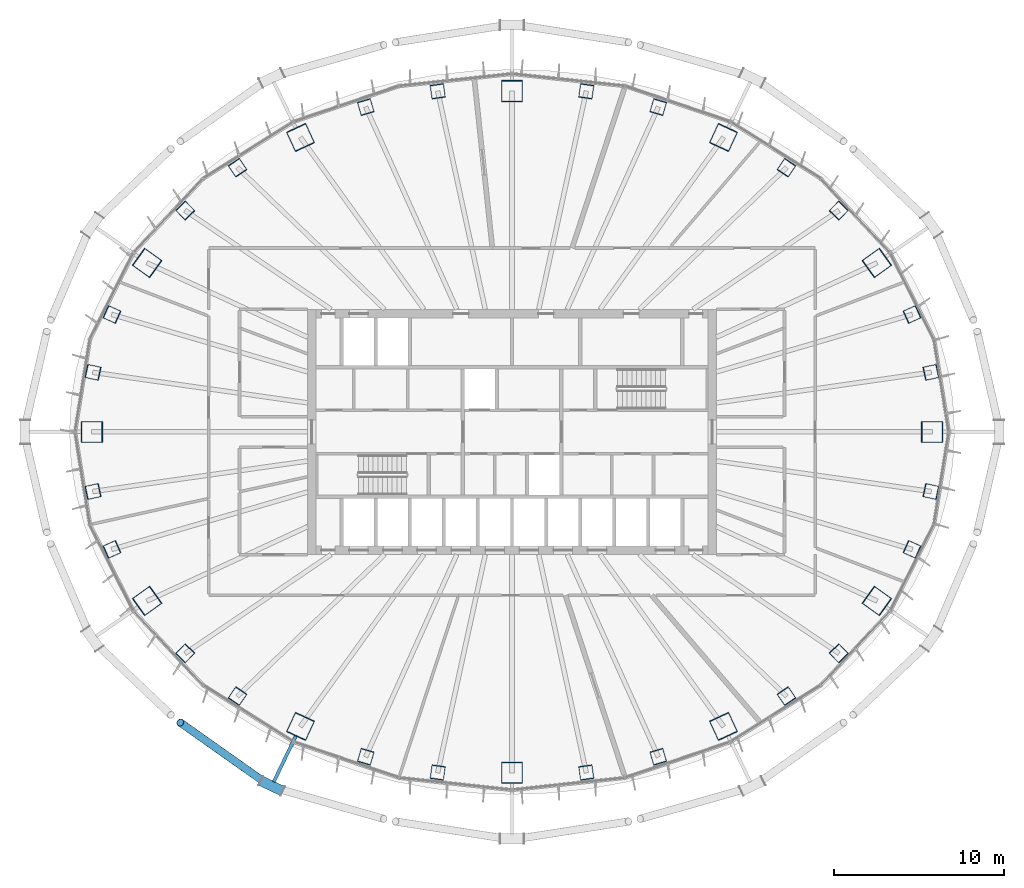
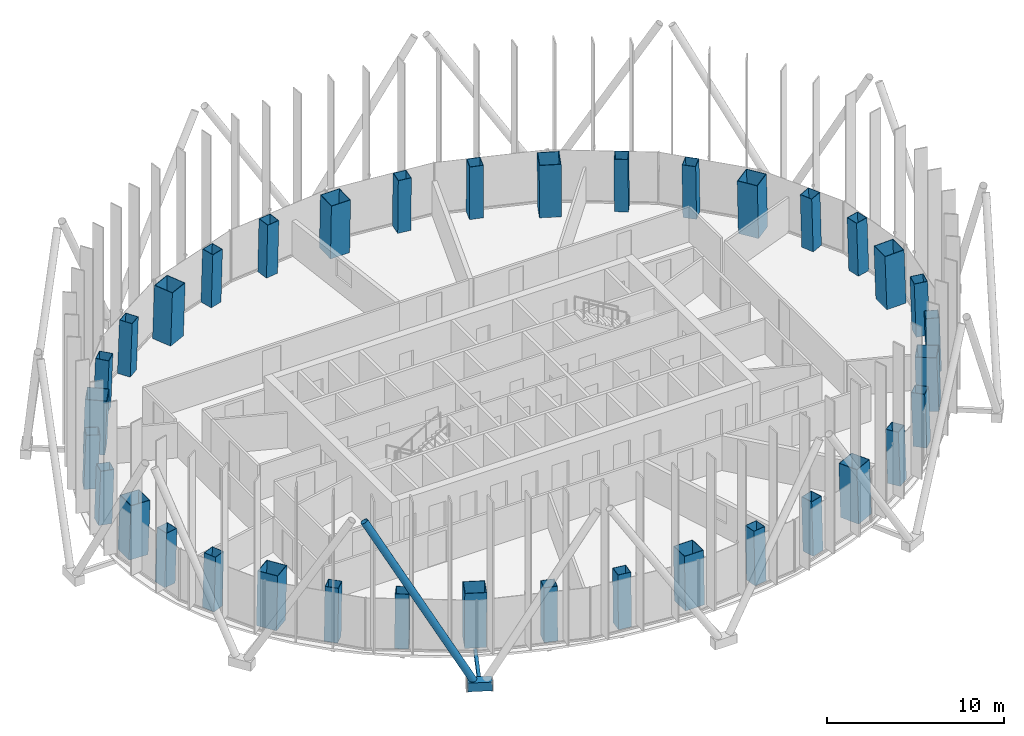
# One storey, part 1 of 20: 36 columns, 3 members.
"""IFC4 building model written with IfcOpenShell, lengths in metres."""

from ifc_helpers import new_model, si_unit, direction, frame, origin, origin_2d, place, context, subcontext, project, spatial, hollow_rectangle, hollow_circle, extrude, material, material_profile, profile_set, type_object, element, save


model = new_model("IFC4")

# Units and contexts
model_context = context("Model", 3, precision=1e-05, world=origin(), true_north=direction((0.0, 1.0)))
body_context = subcontext(model_context, "Body", "Model", "MODEL_VIEW")
ifc_project = project(units=[si_unit("LENGTHUNIT", "METRE"), si_unit("AREAUNIT", "SQUARE_METRE"), si_unit("VOLUMEUNIT", "CUBIC_METRE"), si_unit("PLANEANGLEUNIT", "RADIAN"), si_unit("MASSUNIT", "GRAM", prefix="KILO")], contexts=[model_context])

# Site, building, storey
site_placement = place(None, origin())
site = spatial("IfcSite", under=ifc_project, at=site_placement, CompositionType="ELEMENT")
building_placement = place(site_placement, origin())
building = spatial("IfcBuilding", under=site, at=building_placement, Name="Siaravel Broadcast Tower", CompositionType="ELEMENT")
storey_placement = place(building_placement, frame((0.0, 0.0, 108.199951171875)))
storey = spatial("IfcBuildingStorey", under=building, at=storey_placement, Name="L25", CompositionType="ELEMENT", Elevation=108.199951171875)

# Columns
ifc_material_1 = material(Name="Concrete C60/75", Category="concrete")
ifc_material_profile_1 = material_profile(ifc_material_1, hollow_rectangle(XDim=1.25, YDim=1.25, WallThickness=0.031982421875, at=origin_2d()))
ifc_profile_set_1 = profile_set([ifc_material_profile_1], Name="Concrete C60/75")
column_type_1 = type_object("IfcColumnType", Name="COL-CFT BOX 1250x1250x32", PredefinedType="COLUMN", material=ifc_profile_set_1)
column_1_placement = place(storey_placement, frame((24.697509765625, 0.0, 0.0), z_axis=(-0.034621265, 0.0, 0.999400504), x_axis=(0.0, -1.0, 0.0)))
element("IfcColumn", 1, at=column_1_placement, inside=storey, type_object=column_type_1, Name="Megacolumn MC01", PredefinedType="COLUMN", context=body_context, shape_type="SweptSolid", body=[
    extrude(hollow_rectangle(XDim=1.25, YDim=1.25, WallThickness=0.031982421875, at=origin_2d()), origin(), (0.0, 0.0, 1.0), 3.7021484375),
])
column_2_placement = place(storey_placement, frame((21.442138671875, 9.931884765625, 0.0), z_axis=(-0.029940667, -0.01417895, 0.999451106), x_axis=(0.582966761, -0.812474307, 0.00593764)))
element("IfcColumn", 2, at=column_2_placement, inside=storey, type_object=column_type_1, Name="Megacolumn MC02", PredefinedType="COLUMN", context=body_context, shape_type="SweptSolid", body=[
    extrude(hollow_rectangle(XDim=1.25, YDim=1.25, WallThickness=0.031982421875, at=origin_2d()), origin(), (0.0, 0.0, 1.0), 3.701904296875),
])
column_3_placement = place(storey_placement, frame((12.428466796875, 17.305419921875, 0.0), z_axis=(-0.017280237, -0.024535299, 0.999549605), x_axis=(0.907861934, -0.419234423, 0.005404462)))
element("IfcColumn", 3, at=column_3_placement, inside=storey, type_object=column_type_1, Name="Megacolumn MC03", PredefinedType="COLUMN", context=body_context, shape_type="SweptSolid", body=[
    extrude(hollow_rectangle(XDim=1.25, YDim=1.25, WallThickness=0.031982421875, at=origin_2d()), origin(), (0.0, 0.0, 1.0), 3.70166015625),
])
column_4_placement = place(storey_placement, frame((0.0, 20.031005859375, 0.0), z_axis=(0.0, -0.02836206, 0.999597716), x_axis=(1.0, 0.0, 0.0)))
element("IfcColumn", 4, at=column_4_placement, inside=storey, type_object=column_type_1, Name="Megacolumn MC04", PredefinedType="COLUMN", context=body_context, shape_type="SweptSolid", body=[
    extrude(hollow_rectangle(XDim=1.25, YDim=1.25, WallThickness=0.031982421875, at=origin_2d()), origin(), (0.0, 0.0, 1.0), 3.701416015625),
])
column_5_placement = place(storey_placement, frame((-12.428466796875, 17.305419921875, 0.0), z_axis=(0.017280237, -0.024535299, 0.999549605), x_axis=(0.907861934, 0.419234423, -0.005404462)))
element("IfcColumn", 5, at=column_5_placement, inside=storey, type_object=column_type_1, Name="Megacolumn MC05", PredefinedType="COLUMN", context=body_context, shape_type="SweptSolid", body=[
    extrude(hollow_rectangle(XDim=1.25, YDim=1.25, WallThickness=0.031982421875, at=origin_2d()), origin(), (0.0, 0.0, 1.0), 3.70166015625),
])
column_6_placement = place(storey_placement, frame((-21.442138671875, 9.931884765625, 0.0), z_axis=(0.029940667, -0.01417895, 0.999451106), x_axis=(0.582966761, 0.812474307, -0.00593764)))
element("IfcColumn", 6, at=column_6_placement, inside=storey, type_object=column_type_1, Name="Megacolumn MC06", PredefinedType="COLUMN", context=body_context, shape_type="SweptSolid", body=[
    extrude(hollow_rectangle(XDim=1.25, YDim=1.25, WallThickness=0.031982421875, at=origin_2d()), origin(), (0.0, 0.0, 1.0), 3.701904296875),
])
column_7_placement = place(storey_placement, frame((-24.697509765625, 0.0, 0.0), z_axis=(0.034621265, 0.0, 0.999400504), x_axis=(0.0, 1.0, 0.0)))
element("IfcColumn", 7, at=column_7_placement, inside=storey, type_object=column_type_1, Name="Megacolumn MC07", PredefinedType="COLUMN", context=body_context, shape_type="SweptSolid", body=[
    extrude(hollow_rectangle(XDim=1.25, YDim=1.25, WallThickness=0.031982421875, at=origin_2d()), origin(), (0.0, 0.0, 1.0), 3.7021484375),
])
column_8_placement = place(storey_placement, frame((-21.442138671875, -9.931884765625, 0.0), z_axis=(0.029940667, 0.01417895, 0.999451106), x_axis=(-0.582966761, 0.812474307, 0.00593764)))
element("IfcColumn", 8, at=column_8_placement, inside=storey, type_object=column_type_1, Name="Megacolumn MC08", PredefinedType="COLUMN", context=body_context, shape_type="SweptSolid", body=[
    extrude(hollow_rectangle(XDim=1.25, YDim=1.25, WallThickness=0.031982421875, at=origin_2d()), origin(), (0.0, 0.0, 1.0), 3.701904296875),
])
column_9_placement = place(storey_placement, frame((-12.428466796875, -17.305419921875, 0.0), z_axis=(0.017280237, 0.024535299, 0.999549605), x_axis=(-0.907861934, 0.419234423, 0.005404462)))
element("IfcColumn", 9, at=column_9_placement, inside=storey, type_object=column_type_1, Name="Megacolumn MC09", PredefinedType="COLUMN", context=body_context, shape_type="SweptSolid", body=[
    extrude(hollow_rectangle(XDim=1.25, YDim=1.25, WallThickness=0.031982421875, at=origin_2d()), origin(), (0.0, 0.0, 1.0), 3.70166015625),
])
column_10_placement = place(storey_placement, frame((0.0, -20.031005859375, 0.0), z_axis=(0.0, 0.02836206, 0.999597716), x_axis=(-1.0, 0.0, 0.0)))
element("IfcColumn", 10, at=column_10_placement, inside=storey, type_object=column_type_1, Name="Megacolumn MC10", PredefinedType="COLUMN", context=body_context, shape_type="SweptSolid", body=[
    extrude(hollow_rectangle(XDim=1.25, YDim=1.25, WallThickness=0.031982421875, at=origin_2d()), origin(), (0.0, 0.0, 1.0), 3.701416015625),
])
column_11_placement = place(storey_placement, frame((12.428466796875, -17.305419921875, 0.0), z_axis=(-0.017280237, 0.024535299, 0.999549605), x_axis=(-0.907861934, -0.419234423, -0.005404462)))
element("IfcColumn", 11, at=column_11_placement, inside=storey, type_object=column_type_1, Name="Megacolumn MC11", PredefinedType="COLUMN", context=body_context, shape_type="SweptSolid", body=[
    extrude(hollow_rectangle(XDim=1.25, YDim=1.25, WallThickness=0.031982421875, at=origin_2d()), origin(), (0.0, 0.0, 1.0), 3.70166015625),
])
column_12_placement = place(storey_placement, frame((21.442138671875, -9.931884765625, 0.0), z_axis=(-0.029940667, 0.01417895, 0.999451106), x_axis=(-0.582966761, -0.812474307, -0.00593764)))
element("IfcColumn", 12, at=column_12_placement, inside=storey, type_object=column_type_1, Name="Megacolumn MC12", PredefinedType="COLUMN", context=body_context, shape_type="SweptSolid", body=[
    extrude(hollow_rectangle(XDim=1.25, YDim=1.25, WallThickness=0.031982421875, at=origin_2d()), origin(), (0.0, 0.0, 1.0), 3.701904296875),
])
ifc_material_profile_2 = material_profile(ifc_material_1, hollow_rectangle(XDim=0.800048828125, YDim=0.800048828125, WallThickness=0.02490234375, at=origin_2d()))
ifc_profile_set_2 = profile_set([ifc_material_profile_2], Name="Concrete C60/75")
column_type_2 = type_object("IfcColumnType", Name="COL-CFT BOX 800x800x25", PredefinedType="COLUMN", material=ifc_profile_set_2)
for number, where, z_axis, x_axis, name in (
    (13, (24.623291015625, 3.5009765625, 0.0), (-0.034028045, -0.004879991, 0.999408964), (0.211576663, -0.97735838, 0.002431477), "Perimeter column C01"),
    (14, (23.510498046875, 6.90234375, 0.0), (-0.032511791, -0.009694185, 0.999424337), (0.409837945, -0.912147328, 0.004484622), "Perimeter column C02"),
):
    element("IfcColumn", number, at=place(storey_placement, frame(where, z_axis=z_axis, x_axis=x_axis)), inside=storey, type_object=column_type_2, Name=name, PredefinedType="COLUMN", context=body_context, shape_type="SweptSolid", body=[
        extrude(hollow_rectangle(XDim=0.800048828125, YDim=0.800048828125, WallThickness=0.02490234375, at=origin_2d()), origin(), (0.0, 0.0, 1.0), 3.7021484375),
    ])
column_13_placement = place(storey_placement, frame((19.203125, 13.01025390625, 0.0), z_axis=(-0.026512179, -0.018202391, 0.999482755), x_axis=(0.719802207, -0.694149234, 0.006451686)))
element("IfcColumn", 15, at=column_13_placement, inside=storey, type_object=column_type_2, Name="Perimeter column C03", PredefinedType="COLUMN", context=body_context, shape_type="SweptSolid", body=[
    extrude(hollow_rectangle(XDim=0.800048828125, YDim=0.800048828125, WallThickness=0.02490234375, at=origin_2d()), origin(), (0.0, 0.0, 1.0), 3.701904296875),
])
column_14_placement = place(storey_placement, frame((16.129150390625, 15.528076171875, 0.0), z_axis=(-0.022226124, -0.021764453, 0.999516037), x_axis=(0.828818938, -0.559482024, 0.006247635)))
element("IfcColumn", 16, at=column_14_placement, inside=storey, type_object=column_type_2, Name="Perimeter column C04", PredefinedType="COLUMN", context=body_context, shape_type="SweptSolid", body=[
    extrude(hollow_rectangle(XDim=0.800048828125, YDim=0.800048828125, WallThickness=0.02490234375, at=origin_2d()), origin(), (0.0, 0.0, 1.0), 3.70166015625),
])
for number, where, z_axis, x_axis, name in (
    (17, (8.5947265625, 19.090087890625, 0.0), (-0.011872213, -0.026646524, 0.999574416), (0.959398794, -0.282026459, 0.003876812), "Perimeter column C05"),
    (18, (4.365234375, 20.018310546875, 0.0), (-0.006002162, -0.027966118, 0.999590851), (0.99018843, -0.139723746, 0.002036574), "Perimeter column C06"),
    (19, (-4.365234375, 20.018310546875, 0.0), (0.006002162, -0.027966118, 0.999590851), (0.99018843, 0.139723746, -0.002036574), "Perimeter column C07"),
    (20, (-8.5947265625, 19.090087890625, 0.0), (0.011872213, -0.026646524, 0.999574416), (0.959398794, 0.282026459, -0.003876812), "Perimeter column C08"),
):
    element("IfcColumn", number, at=place(storey_placement, frame(where, z_axis=z_axis, x_axis=x_axis)), inside=storey, type_object=column_type_2, Name=name, PredefinedType="COLUMN", context=body_context, shape_type="SweptSolid", body=[
        extrude(hollow_rectangle(XDim=0.800048828125, YDim=0.800048828125, WallThickness=0.02490234375, at=origin_2d()), origin(), (0.0, 0.0, 1.0), 3.701416015625),
    ])
column_15_placement = place(storey_placement, frame((-16.129150390625, 15.528076171875, 0.0), z_axis=(0.022226124, -0.021764453, 0.999516037), x_axis=(0.828818938, 0.559482024, -0.006247635)))
element("IfcColumn", 21, at=column_15_placement, inside=storey, type_object=column_type_2, Name="Perimeter column C09", PredefinedType="COLUMN", context=body_context, shape_type="SweptSolid", body=[
    extrude(hollow_rectangle(XDim=0.800048828125, YDim=0.800048828125, WallThickness=0.02490234375, at=origin_2d()), origin(), (0.0, 0.0, 1.0), 3.70166015625),
])
column_16_placement = place(storey_placement, frame((-19.203125, 13.01025390625, 0.0), z_axis=(0.026512179, -0.018202391, 0.999482755), x_axis=(0.719802207, 0.694149234, -0.006451686)))
element("IfcColumn", 22, at=column_16_placement, inside=storey, type_object=column_type_2, Name="Perimeter column C10", PredefinedType="COLUMN", context=body_context, shape_type="SweptSolid", body=[
    extrude(hollow_rectangle(XDim=0.800048828125, YDim=0.800048828125, WallThickness=0.02490234375, at=origin_2d()), origin(), (0.0, 0.0, 1.0), 3.701904296875),
])
for number, where, z_axis, x_axis, name in (
    (23, (-23.510498046875, 6.90234375, 0.0), (0.032511791, -0.009694185, 0.999424337), (0.409837945, 0.912147328, -0.004484622), "Perimeter column C11"),
    (24, (-24.623291015625, 3.5009765625, 0.0), (0.034028045, -0.004879991, 0.999408964), (0.211576663, 0.97735838, -0.002431477), "Perimeter column C12"),
    (25, (-24.623291015625, -3.5009765625, 0.0), (0.034028045, 0.004879991, 0.999408964), (-0.211576663, 0.97735838, 0.002431477), "Perimeter column C13"),
    (26, (-23.510498046875, -6.90234375, 0.0), (0.032511791, 0.009694185, 0.999424337), (-0.409837945, 0.912147328, 0.004484622), "Perimeter column C14"),
):
    element("IfcColumn", number, at=place(storey_placement, frame(where, z_axis=z_axis, x_axis=x_axis)), inside=storey, type_object=column_type_2, Name=name, PredefinedType="COLUMN", context=body_context, shape_type="SweptSolid", body=[
        extrude(hollow_rectangle(XDim=0.800048828125, YDim=0.800048828125, WallThickness=0.02490234375, at=origin_2d()), origin(), (0.0, 0.0, 1.0), 3.7021484375),
    ])
column_17_placement = place(storey_placement, frame((-19.203125, -13.01025390625, 0.0), z_axis=(0.026512179, 0.018202391, 0.999482755), x_axis=(-0.719802207, 0.694149234, 0.006451686)))
element("IfcColumn", 27, at=column_17_placement, inside=storey, type_object=column_type_2, Name="Perimeter column C15", PredefinedType="COLUMN", context=body_context, shape_type="SweptSolid", body=[
    extrude(hollow_rectangle(XDim=0.800048828125, YDim=0.800048828125, WallThickness=0.02490234375, at=origin_2d()), origin(), (0.0, 0.0, 1.0), 3.701904296875),
])
column_18_placement = place(storey_placement, frame((-16.129150390625, -15.528076171875, 0.0), z_axis=(0.022226124, 0.021764453, 0.999516037), x_axis=(-0.828818938, 0.559482024, 0.006247635)))
element("IfcColumn", 28, at=column_18_placement, inside=storey, type_object=column_type_2, Name="Perimeter column C16", PredefinedType="COLUMN", context=body_context, shape_type="SweptSolid", body=[
    extrude(hollow_rectangle(XDim=0.800048828125, YDim=0.800048828125, WallThickness=0.02490234375, at=origin_2d()), origin(), (0.0, 0.0, 1.0), 3.70166015625),
])
for number, where, z_axis, x_axis, name in (
    (29, (-8.5947265625, -19.090087890625, 0.0), (0.011872213, 0.026646524, 0.999574416), (-0.959398794, 0.282026459, 0.003876812), "Perimeter column C17"),
    (30, (-4.365234375, -20.018310546875, 0.0), (0.006002162, 0.027966118, 0.999590851), (-0.99018843, 0.139723746, 0.002036574), "Perimeter column C18"),
    (31, (4.365234375, -20.018310546875, 0.0), (-0.006002162, 0.027966118, 0.999590851), (-0.99018843, -0.139723746, -0.002036574), "Perimeter column C19"),
    (32, (8.5947265625, -19.090087890625, 0.0), (-0.011872213, 0.026646524, 0.999574416), (-0.959398794, -0.282026459, -0.003876812), "Perimeter column C20"),
):
    element("IfcColumn", number, at=place(storey_placement, frame(where, z_axis=z_axis, x_axis=x_axis)), inside=storey, type_object=column_type_2, Name=name, PredefinedType="COLUMN", context=body_context, shape_type="SweptSolid", body=[
        extrude(hollow_rectangle(XDim=0.800048828125, YDim=0.800048828125, WallThickness=0.02490234375, at=origin_2d()), origin(), (0.0, 0.0, 1.0), 3.701416015625),
    ])
column_19_placement = place(storey_placement, frame((16.129150390625, -15.528076171875, 0.0), z_axis=(-0.022226124, 0.021764453, 0.999516037), x_axis=(-0.828818938, -0.559482024, -0.006247635)))
element("IfcColumn", 33, at=column_19_placement, inside=storey, type_object=column_type_2, Name="Perimeter column C21", PredefinedType="COLUMN", context=body_context, shape_type="SweptSolid", body=[
    extrude(hollow_rectangle(XDim=0.800048828125, YDim=0.800048828125, WallThickness=0.02490234375, at=origin_2d()), origin(), (0.0, 0.0, 1.0), 3.70166015625),
])
column_20_placement = place(storey_placement, frame((19.203125, -13.01025390625, 0.0), z_axis=(-0.026512179, 0.018202391, 0.999482755), x_axis=(-0.719802207, -0.694149234, -0.006451686)))
element("IfcColumn", 34, at=column_20_placement, inside=storey, type_object=column_type_2, Name="Perimeter column C22", PredefinedType="COLUMN", context=body_context, shape_type="SweptSolid", body=[
    extrude(hollow_rectangle(XDim=0.800048828125, YDim=0.800048828125, WallThickness=0.02490234375, at=origin_2d()), origin(), (0.0, 0.0, 1.0), 3.701904296875),
])
for number, where, z_axis, x_axis, name in (
    (35, (23.510498046875, -6.90234375, 0.0), (-0.032511791, 0.009694185, 0.999424337), (-0.409837945, -0.912147328, -0.004484622), "Perimeter column C23"),
    (36, (24.623291015625, -3.5009765625, 0.0), (-0.034028045, 0.004879991, 0.999408964), (-0.211576663, -0.97735838, -0.002431477), "Perimeter column C24"),
):
    element("IfcColumn", number, at=place(storey_placement, frame(where, z_axis=z_axis, x_axis=x_axis)), inside=storey, type_object=column_type_2, Name=name, PredefinedType="COLUMN", context=body_context, shape_type="SweptSolid", body=[
        extrude(hollow_rectangle(XDim=0.800048828125, YDim=0.800048828125, WallThickness=0.02490234375, at=origin_2d()), origin(), (0.0, 0.0, 1.0), 3.7021484375),
    ])

# Members
ifc_material_2 = material(Name="Steel S460", Category="steel")
ifc_material_profile_3 = material_profile(ifc_material_2, hollow_circle(Radius=0.228515625, WallThickness=0.02001953125, at=origin_2d()))
ifc_profile_set_3 = profile_set([ifc_material_profile_3], Name="Steel S460")
member_type_1 = type_object("IfcMemberType", Name="Diagrid diagonal CHS 457x20", PredefinedType="BRACE", material=ifc_profile_set_3)
member_1_placement = place(storey_placement, frame((-14.423828125, -20.636474609375, 0.070068359375), z_axis=(-0.413154291, 0.2917967, 0.862646056), x_axis=(-0.576892164, -0.816820318, 0.0)))
element("IfcMember", 37, at=member_1_placement, inside=storey, type_object=member_type_1, Name="Diagrid diagonal R11 station 48C", PredefinedType="BRACE", context=body_context, shape_type="SweptSolid", body=[
    extrude(hollow_circle(Radius=0.228515625, WallThickness=0.02001953125, at=origin_2d()), origin(), (0.0, 0.0, 1.0), 12.241455078125),
])
ifc_material_profile_4 = material_profile(ifc_material_2, hollow_rectangle(XDim=0.60009765625, YDim=0.60009765625, WallThickness=0.0400390625, at=origin_2d()))
ifc_profile_set_4 = profile_set([ifc_material_profile_4], Name="Steel S460")
member_type_2 = type_object("IfcMemberType", Name="Diagrid node BOX 600x600x40", PredefinedType="USERDEFINED", material=ifc_profile_set_4)
member_2_placement = place(storey_placement, frame((-14.739013671875, -20.4873046875, -0.199951171875), z_axis=(0.904014668, -0.427501438, 0.0), x_axis=(0.427501438, 0.904014668, 0.0)))
element("IfcMember", 38, at=member_2_placement, inside=storey, type_object=member_type_2, Name="Diagrid node R11 station 48", ObjectType="DIAGRID NODE", PredefinedType="USERDEFINED", context=body_context, shape_type="SweptSolid", body=[
    extrude(hollow_rectangle(XDim=0.60009765625, YDim=0.60009765625, WallThickness=0.0400390625, at=origin_2d()), origin(), (0.0, 0.0, 1.0), 1.399658203125),
])
ifc_material_profile_5 = material_profile(ifc_material_2, hollow_rectangle(XDim=0.199951171875, YDim=0.300048828125, WallThickness=0.012451171875, at=origin_2d()))
ifc_profile_set_5 = profile_set([ifc_material_profile_5], Name="Steel S460")
member_type_3 = type_object("IfcMemberType", Name="Diagrid node arm RHS 300x200x12.5", PredefinedType="STRUT", material=ifc_profile_set_5)
member_3_placement = place(storey_placement, frame((-12.686767578125, -17.841552734375, -0.199951171875), z_axis=(-0.434175348, -0.900828379, 0.0), x_axis=(0.900828379, -0.434175348, 0.0)))
element("IfcMember", 39, at=member_3_placement, inside=storey, type_object=member_type_3, Name="Node arm R11 station 48", PredefinedType="STRUT", context=body_context, shape_type="SweptSolid", body=[
    extrude(hollow_rectangle(XDim=0.199951171875, YDim=0.300048828125, WallThickness=0.012451171875, at=origin_2d()), origin(), (0.0, 0.0, 1.0), 2.999267578125),
])

save(model, "model.ifc")
